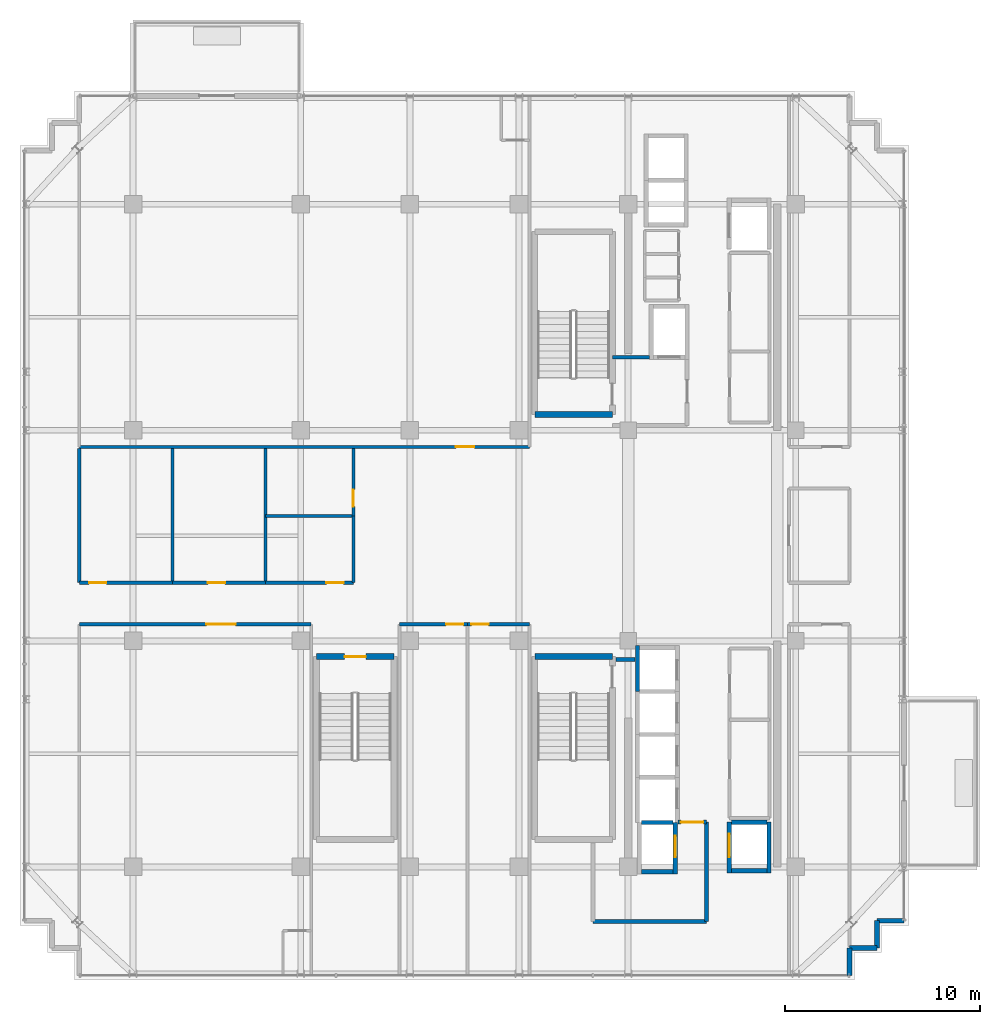
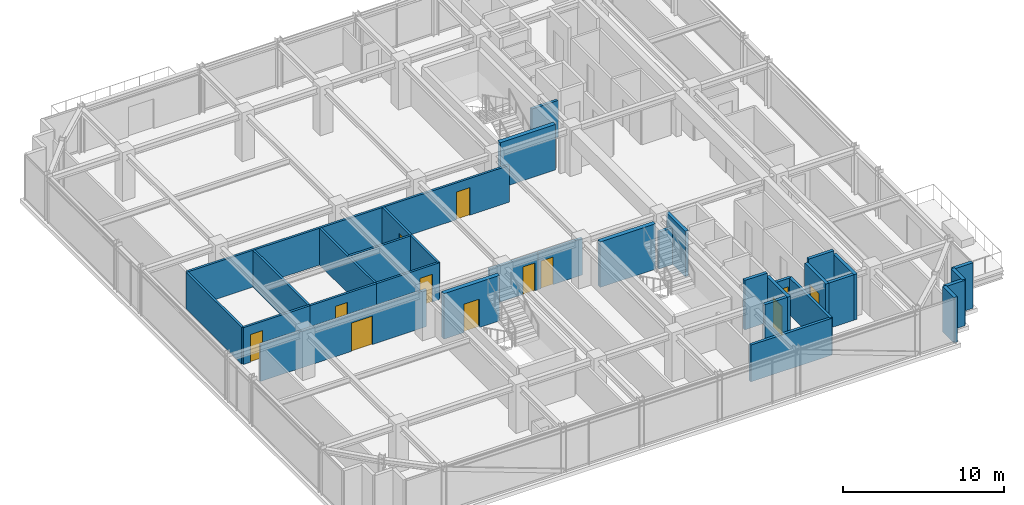
# One storey, part 24 of 31: 33 walls, 12 doors, 12 openings.
"""IFC4 building model written with IfcOpenShell, lengths in metres."""

import ifcopenshell
import ifcopenshell.guid

model = None  # the IFC model being written
_history = None  # IfcOwnerHistory: only IFC2X3 demands one
_inside = {}  # id of a spatial element -> (the spatial element, [elements in it])
_under = {}  # id of a project, library or spatial element -> (it, [spatial elements below it])
_declared = {}  # id of a project -> (the project, [libraries it declares])
_typed = {}  # id of a type object -> (the type object, [elements of that type])
_made_of = {}  # id of a material, layer set ... -> (it, [elements and type objects made of it])


def new_model(schema):
    """Start an empty IFC model of exactly this schema.

    Asked for "IFC4X3", IfcOpenShell would pick the latest addendum, in which some entities
    have other attributes; the version numbers below select the first issue.
    IFC2X3 requires an IfcOwnerHistory on every rooted entity: one is made here for all.
    """
    global model, _history
    if schema == "IFC4X3":
        model = ifcopenshell.file(schema_version=(4, 3, 0, 0))
    else:
        model = ifcopenshell.file(schema=schema)
    _inside.clear()
    _under.clear()
    _declared.clear()
    _typed.clear()
    _made_of.clear()
    _history = None
    if model.schema == "IFC2X3":
        org = make("IfcOrganization", Name="unknown")
        user = make(
            "IfcPersonAndOrganization",
            ThePerson=make("IfcPerson", FamilyName="unknown"),
            TheOrganization=org,
        )
        app = make(
            "IfcApplication",
            ApplicationDeveloper=org,
            Version="unknown",
            ApplicationFullName="unknown",
            ApplicationIdentifier="unknown",
        )
        _history = make(
            "IfcOwnerHistory",
            OwningUser=user,
            OwningApplication=app,
            ChangeAction="ADDED",
            CreationDate=0,
        )
    return model


def make(cls, **values):
    """One entity of the class cls with the attributes given. An attribute that is None is left unset."""
    return model.create_entity(
        cls, **{name: value for name, value in values.items() if value is not None}
    )


def rooted(cls, **values):
    """An entity with a GlobalId (a new one), such as an element, a storey or a relation."""
    return make(cls, GlobalId=ifcopenshell.guid.new(), OwnerHistory=_history, **values)


def si_unit(unit_type, name, prefix=None):
    """IfcSIUnit, for example si_unit("LENGTHUNIT", "METRE", prefix="MILLI")."""
    return make("IfcSIUnit", UnitType=unit_type, Prefix=prefix, Name=name)


def assignment(units):
    """IfcUnitAssignment: the units of a project."""
    return None if units is None else make("IfcUnitAssignment", Units=units)


def point(xyz):
    """IfcCartesianPoint."""
    return None if xyz is None else make("IfcCartesianPoint", Coordinates=xyz)


def direction(xyz):
    """IfcDirection."""
    return None if xyz is None else make("IfcDirection", DirectionRatios=xyz)


def frame(location, z_axis=None, x_axis=None):
    """IfcAxis2Placement3D, a coordinate frame: its origin and axes. An axis left out is left unset."""
    return make(
        "IfcAxis2Placement3D",
        Location=point(location),
        Axis=direction(z_axis),
        RefDirection=direction(x_axis),
    )


def frame_2d(location, x_axis=None):
    """IfcAxis2Placement2D, a coordinate frame in the plane: its origin and x axis."""
    return make(
        "IfcAxis2Placement2D", Location=point(location), RefDirection=direction(x_axis)
    )


def origin():
    """The frame at (0, 0, 0) with its axes left unset."""
    return frame((0.0, 0.0, 0.0))


def place(relative_to, where):
    """IfcLocalPlacement: puts the frame where relative to a parent placement (None: the world)."""
    return make(
        "IfcLocalPlacement", PlacementRelTo=relative_to, RelativePlacement=where
    )


def context(
    kind, dimensions, precision=None, world=None, true_north=None, identifier=None
):
    """IfcGeometricRepresentationContext, for example the 3D "Model" context."""
    return make(
        "IfcGeometricRepresentationContext",
        ContextIdentifier=identifier,
        ContextType=kind,
        CoordinateSpaceDimension=dimensions,
        Precision=precision,
        WorldCoordinateSystem=world,
        TrueNorth=true_north,
    )


def subcontext(parent, identifier, kind, view, scale=None):
    """IfcGeometricRepresentationSubContext, for example "Body" below "Model"."""
    return make(
        "IfcGeometricRepresentationSubContext",
        ContextIdentifier=identifier,
        ContextType=kind,
        ParentContext=parent,
        TargetScale=scale,
        TargetView=view,
    )


def project(units=None, contexts=None):
    """IfcProject with its units and contexts."""
    return rooted(
        "IfcProject",
        Name="project",
        RepresentationContexts=contexts,
        UnitsInContext=assignment(units),
    )


def spatial(cls, under=None, at=None, **own):
    """A site, building, storey or space (cls), placed at a placement, below another one or the project."""
    s = rooted(cls, ObjectPlacement=at, **own)
    if under is not None:
        _under.setdefault(under.id(), (under, []))[1].append(s)
    return s


def profile(cls, at=None, kind="AREA", **sizes):
    """A parametric profile (cls). Its sizes go by their IFC names, for example OverallWidth=200.0."""
    return make(cls, ProfileType=kind, Position=at, **sizes)


def rectangle(**sizes):
    """IfcRectangleProfileDef."""
    return profile("IfcRectangleProfileDef", **sizes)


def extrude(swept, where, along, depth):
    """IfcExtrudedAreaSolid: the profile swept, set in the frame where, extruded along a direction by depth."""
    return make(
        "IfcExtrudedAreaSolid",
        SweptArea=swept,
        Position=where,
        ExtrudedDirection=direction(along),
        Depth=depth,
    )


def shape(context_of_items, identifier, shape_type, items):
    """IfcShapeRepresentation: the items that make up one representation, for example the "Body"."""
    return make(
        "IfcShapeRepresentation",
        ContextOfItems=context_of_items,
        RepresentationIdentifier=identifier,
        RepresentationType=shape_type,
        Items=items,
    )


def source(mapping_origin, context_of_items, identifier, shape_type, items):
    """IfcRepresentationMap: a shape defined once, which mapped items show again and again."""
    return make(
        "IfcRepresentationMap",
        MappingOrigin=mapping_origin,
        MappedRepresentation=shape(context_of_items, identifier, shape_type, items),
    )


def transform(
    local_origin,
    x_axis=None,
    y_axis=None,
    z_axis=None,
    scale=None,
    scale2=None,
    scale3=None,
    uniform=True,
):
    """IfcCartesianTransformationOperator3D, or its non-uniform kind. x_axis, y_axis, z_axis: its Axis1, 2, 3."""
    if uniform:
        return make(
            "IfcCartesianTransformationOperator3D",
            Axis1=direction(x_axis),
            Axis2=direction(y_axis),
            LocalOrigin=point(local_origin),
            Scale=scale,
            Axis3=direction(z_axis),
        )
    return make(
        "IfcCartesianTransformationOperator3DnonUniform",
        Axis1=direction(x_axis),
        Axis2=direction(y_axis),
        LocalOrigin=point(local_origin),
        Scale=scale,
        Axis3=direction(z_axis),
        Scale2=scale2,
        Scale3=scale3,
    )


def mapped(mapping_source, mapping_target):
    """IfcMappedItem: shows the shape of a source again, moved by a transform."""
    return make(
        "IfcMappedItem", MappingSource=mapping_source, MappingTarget=mapping_target
    )


def material(Name=None, Category=None):
    """IfcMaterial."""
    return make("IfcMaterial", Name=Name, Category=Category)


def layer(
    of_material, thickness, ventilated=None, Name=None, Category=None, Priority=None
):
    """IfcMaterialLayer: one layer of a wall or slab, of a material (None: an air gap)."""
    return make(
        "IfcMaterialLayer",
        Material=of_material,
        LayerThickness=thickness,
        IsVentilated=ventilated,
        Name=Name,
        Category=Category,
        Priority=Priority,
    )


def layer_set(layers, Name=None):
    """IfcMaterialLayerSet."""
    return make("IfcMaterialLayerSet", MaterialLayers=layers, LayerSetName=Name)


def made_of(thing, what):
    """Note that an element or type object is made of a material, layer set ...; save() writes the relation."""
    if what is not None:
        _made_of.setdefault(what.id(), (what, []))[1].append(thing)
    return thing


def type_object(cls, material=None, **own):
    """A type object (cls), such as IfcWallType, which elements share."""
    return made_of(rooted(cls, **own), material)


def element(
    cls,
    number,
    at=None,
    inside=None,
    cuts=None,
    type_object=None,
    material=None,
    context=None,
    identifier="Body",
    shape_type=None,
    held_by="IfcProductDefinitionShape",
    body=None,
    shapes=None,
    **own,
):
    """One element of the class cls, such as IfcWall. Its Tag is "e" and its number.

    at: its placement. inside: the storey or other place that contains it. cuts: it is an
    opening in that element (IfcRelVoidsElement). A single representation is given by context,
    identifier, shape_type and body (its items); several are given by shapes. held_by: the class
    of the entity that holds the representations. save() writes the other relations.
    """
    e = rooted(cls, Tag="e%d" % number, ObjectPlacement=at, **own)
    if body is not None:
        shapes = [shape(context, identifier, shape_type, body)]
    if shapes is not None:
        e.Representation = make(held_by, Representations=shapes)
    if inside is not None:
        _inside.setdefault(inside.id(), (inside, []))[1].append(e)
    if cuts is not None:
        rooted(
            "IfcRelVoidsElement", RelatingBuildingElement=cuts, RelatedOpeningElement=e
        )
    if type_object is not None:
        _typed.setdefault(type_object.id(), (type_object, []))[1].append(e)
    return made_of(e, material)


def fill(opening, filler):
    """IfcRelFillsElement: the door or window that sits in an opening."""
    return rooted(
        "IfcRelFillsElement",
        RelatingOpeningElement=opening,
        RelatedBuildingElement=filler,
    )


def aggregate(whole, parts):
    """IfcRelAggregates: a whole, such as a stair, and the parts it consists of."""
    return rooted("IfcRelAggregates", RelatingObject=whole, RelatedObjects=parts)


def save(model, path):
    """Write the relations noted so far, then the file.

    IfcRelAggregates (storeys below a building ...), IfcRelContainedInSpatialStructure (elements
    in a storey), IfcRelDefinesByType, IfcRelAssociatesMaterial and IfcRelDeclares: one each for
    every whole, place, type object, material and project.
    """
    for whole, parts in _under.values():
        aggregate(whole, parts)
    for where, things in _inside.values():
        rooted(
            "IfcRelContainedInSpatialStructure",
            RelatedElements=things,
            RelatingStructure=where,
        )
    for kind, things in _typed.values():
        rooted("IfcRelDefinesByType", RelatedObjects=things, RelatingType=kind)
    for what, things in _made_of.values():
        rooted("IfcRelAssociatesMaterial", RelatedObjects=things, RelatingMaterial=what)
    for by, libraries in _declared.values():
        rooted("IfcRelDeclares", RelatingContext=by, RelatedDefinitions=libraries)
    model.write(path)


model = new_model("IFC4")

# Units and contexts
model_context = context("Model", 3, precision=1e-05, world=origin(), true_north=direction((0.0, 1.0)))
body_context = subcontext(model_context, "Body", "Model", "MODEL_VIEW")
ifc_project = project(units=[si_unit("LENGTHUNIT", "METRE"), si_unit("AREAUNIT", "SQUARE_METRE"), si_unit("VOLUMEUNIT", "CUBIC_METRE"), si_unit("PLANEANGLEUNIT", "RADIAN"), si_unit("MASSUNIT", "GRAM", prefix="KILO")], contexts=[model_context])

# Site, building, storey
site_placement = place(None, origin())
site = spatial("IfcSite", under=ifc_project, at=site_placement, CompositionType="ELEMENT")
building_placement = place(site_placement, origin())
building = spatial("IfcBuilding", under=site, at=building_placement, Name="Nahalor Promenade Grand Hotel", CompositionType="ELEMENT")
storey_placement = place(building_placement, frame((0.0, 0.0, 281.300048828125)))
storey = spatial("IfcBuildingStorey", under=building, at=storey_placement, Name="L72", CompositionType="ELEMENT", Elevation=281.300048828125)

# Walls
ifc_material_1 = material(Name="Concrete B-50 (C40/50)", Category="concrete")
ifc_layer_1 = layer(ifc_material_1, 0.300048828125)
ifc_layer_set_1 = layer_set([ifc_layer_1], Name="Concrete B-50 (C40/50)")
wall_type_1 = type_object("IfcWallType", Name="Wall-ShaftShear-300", PredefinedType="SHEAR", material=ifc_layer_set_1)
shared_shape_1 = source(origin(), body_context, "Body", "SweptSolid", [
    extrude(rectangle(XDim=3.97998046875, YDim=0.300048828125, at=frame_2d((1.989990234375, 0.0))), origin(), (0.0, 0.0, 1.0), 3.449951171875),
])
for number, where, z_axis, x_axis, name in (
    (1, (3.610107421875, 6.2099609375, 0.0), (0.0, 0.0, 1.0), (1.0, 0.0, 0.0), "L72 Exit Stair ST1 Shaft Wall S"),
    (2, (3.610107421875, -6.2099609375, 0.0), (0.0, 0.0, 1.0), (1.0, 0.0, 0.0), "L72 Exit Stair ST2 Shaft Wall N"),
):
    element("IfcWall", number, at=place(storey_placement, frame(where, z_axis=z_axis, x_axis=x_axis)), inside=storey, type_object=wall_type_1, Name=name, PredefinedType="SHEAR", context=body_context, shape_type="MappedRepresentation", body=[
        mapped(shared_shape_1, transform((0.0, 0.0, 0.0), scale=1.0)),
    ])

# Wall, opening, door
wall_1_placement = place(storey_placement, frame((-7.590087890625, -6.2099609375, 0.0), z_axis=(0.0, 0.0, 1.0), x_axis=(1.0, 0.0, 0.0)))
wall_1 = element("IfcWall", 3, at=wall_1_placement, inside=storey, type_object=wall_type_1, Name="L72 Exit Stair ST3 Shaft Wall N", PredefinedType="SHEAR", context=body_context, shape_type="MappedRepresentation", body=[
    mapped(shared_shape_1, transform((0.0, 0.0, 0.0), scale=1.0)),
])
opening_1_placement = place(wall_1_placement, frame((1.43994140625, 0.0, 0.0)))
opening_1 = element("IfcOpeningElement", 4, at=opening_1_placement, cuts=wall_1, Name="Opening D-ST1", PredefinedType="OPENING", context=body_context, shape_type="SweptSolid", body=[
    extrude(rectangle(XDim=1.10009765625, YDim=2.14990234375, at=frame_2d((0.550048828125, 1.074951171875))), frame((0.0, 0.159912109375, 0.0), z_axis=(0.0, -1.0, 0.0), x_axis=(1.0, 0.0, 0.0)), (0.0, 0.0, 1.0), 0.320068359375),
])
ifc_material_2 = material(Name="Steel S355JR", Category="steel")
door_type_1 = type_object("IfcDoorType", Name="Door-StairFire-1100", OperationType="NOTDEFINED", PredefinedType="DOOR", material=ifc_material_2)
shared_shape_2 = source(origin(), body_context, "Body", "SweptSolid", [
    extrude(rectangle(XDim=1.10009765625, YDim=2.14990234375, at=frame_2d((0.550048828125, 1.074951171875))), frame((0.0, 0.02490234375, 0.0), z_axis=(0.0, -1.0, 0.0), x_axis=(1.0, 0.0, 0.0)), (0.0, 0.0, 1.0), 0.050048828125),
])
door_1_placement = place(opening_1_placement, frame((1.10009765625, 0.0, 0.0), z_axis=(0.0, 0.0, 1.0), x_axis=(-1.0, 0.0, 0.0)))
door_1 = element("IfcDoor", 5, at=door_1_placement, inside=storey, type_object=door_type_1, Name="DR-STAIR-ST3-L72", OperationType="SINGLE_SWING_LEFT", OverallHeight=2.14990234375, OverallWidth=1.10009765625, PredefinedType="DOOR", context=body_context, shape_type="MappedRepresentation", body=[
    mapped(shared_shape_2, transform((0.0, 0.0, 0.0), scale=1.0)),
])
fill(opening_1, door_1)

# Walls
ifc_layer_2 = layer(ifc_material_1, 0.219970703125)
ifc_layer_set_2 = layer_set([ifc_layer_2], Name="Concrete B-50 (C40/50)")
wall_type_2 = type_object("IfcWallType", Name="Wall-LiftShaft-220", PredefinedType="SHEAR", material=ifc_layer_set_2)
shared_shape_3 = source(origin(), body_context, "Body", "SweptSolid", [
    extrude(rectangle(XDim=2.360107421875, YDim=0.219970703125, at=frame_2d((1.18017578125, 0.0))), origin(), (0.0, 0.0, 1.0), 3.449951171875),
])
wall_2_placement = place(storey_placement, frame((8.8798828125, -8.0, 0.0), z_axis=(0.0, 0.0, 1.0), x_axis=(0.0, 1.0, 0.0)))
element("IfcWall", 6, at=wall_2_placement, inside=storey, type_object=wall_type_2, Name="L72 Lift PL9 Hoistway Wall W", PredefinedType="SHEAR", context=body_context, shape_type="MappedRepresentation", body=[
    mapped(shared_shape_3, transform((0.0, 0.0, 0.0), scale=1.0)),
])
shared_shape_4 = source(origin(), body_context, "Body", "SweptSolid", [
    extrude(rectangle(XDim=1.820068359375, YDim=0.219970703125, at=frame_2d((0.91015625, 0.0))), origin(), (0.0, 0.0, 1.0), 3.449951171875),
])
wall_3_placement = place(storey_placement, frame((13.68994140625, -17.199951171875, 0.0), z_axis=(0.0, 0.0, 1.0), x_axis=(1.0, 0.0, 0.0)))
element("IfcWall", 7, at=wall_3_placement, inside=storey, type_object=wall_type_2, Name="L72 Lift SV2 Hoistway Wall S", PredefinedType="SHEAR", context=body_context, shape_type="MappedRepresentation", body=[
    mapped(shared_shape_4, transform((0.0, 0.0, 0.0), scale=1.0)),
])
shared_shape_5 = source(origin(), body_context, "Body", "SweptSolid", [
    extrude(rectangle(XDim=1.820068359375, YDim=0.219970703125, at=frame_2d((0.91015625, 0.0))), origin(), (0.0, 0.0, 1.0), 3.75),
])
wall_4_placement = place(storey_placement, frame((13.68994140625, -14.699951171875, 0.0), z_axis=(0.0, 0.0, 1.0), x_axis=(1.0, 0.0, 0.0)))
element("IfcWall", 8, at=wall_4_placement, inside=storey, type_object=wall_type_2, Name="L72 Lift SV2 Hoistway Wall N", PredefinedType="SHEAR", context=body_context, shape_type="MappedRepresentation", body=[
    mapped(shared_shape_5, transform((0.0, 0.0, 0.0), scale=1.0)),
])

# Wall, opening, door
shared_shape_6 = source(origin(), body_context, "Body", "SweptSolid", [
    extrude(rectangle(XDim=2.635009765625, YDim=0.219970703125, at=frame_2d((1.3173828125, 0.0))), origin(), (0.0, 0.0, 1.0), 3.449951171875),
])
wall_5_placement = place(storey_placement, frame((10.820068359375, -17.360107421875, 0.0), z_axis=(0.0, 0.0, 1.0), x_axis=(0.0, 1.0, 0.0)))
wall_5 = element("IfcWall", 9, at=wall_5_placement, inside=storey, type_object=wall_type_2, Name="L72 Lift FL2 Hoistway Wall E", PredefinedType="SHEAR", context=body_context, shape_type="MappedRepresentation", body=[
    mapped(shared_shape_6, transform((0.0, 0.0, 0.0), scale=1.0)),
])
opening_2_placement = place(wall_5_placement, frame((0.860107421875, 0.0, 0.0)))
opening_2 = element("IfcOpeningElement", 10, at=opening_2_placement, cuts=wall_5, Name="Opening LD-02", PredefinedType="OPENING", context=body_context, shape_type="SweptSolid", body=[
    extrude(rectangle(XDim=1.10009765625, YDim=2.199951171875, at=frame_2d((0.550048828125, 1.10009765625))), frame((0.0, 0.119873046875, 0.0), z_axis=(0.0, -1.0, 0.0), x_axis=(1.0, 0.0, 0.0)), (0.0, 0.0, 1.0), 0.239990234375),
])
door_type_2 = type_object("IfcDoorType", Name="Door-LiftFF-1100", OperationType="DOUBLE_DOOR_SLIDING", PredefinedType="DOOR", material=ifc_material_2)
shared_shape_7 = source(origin(), body_context, "Body", "SweptSolid", [
    extrude(rectangle(XDim=1.10009765625, YDim=2.199951171875, at=frame_2d((0.550048828125, 1.10009765625))), frame((0.0, 0.02490234375, 0.0), z_axis=(0.0, -1.0, 0.0), x_axis=(1.0, 0.0, 0.0)), (0.0, 0.0, 1.0), 0.050048828125),
])
door_2_placement = place(opening_2_placement, frame((1.10009765625, 0.0, 0.0), z_axis=(0.0, 0.0, 1.0), x_axis=(-1.0, 0.0, 0.0)))
door_2 = element("IfcDoor", 11, at=door_2_placement, inside=storey, type_object=door_type_2, Name="DR-LIFT-FL2-L72", OperationType="DOUBLE_DOOR_SLIDING", OverallHeight=2.199951171875, OverallWidth=1.10009765625, PredefinedType="DOOR", context=body_context, shape_type="MappedRepresentation", body=[
    mapped(shared_shape_7, transform((0.0, 0.0, 0.0), scale=1.0)),
])
fill(opening_2, door_2)

# Walls
shared_shape_8 = source(origin(), body_context, "Body", "SweptSolid", [
    extrude(rectangle(XDim=1.619873046875, YDim=0.219970703125, at=frame_2d((0.81005859375, 0.0))), origin(), (0.0, 0.0, 1.0), 3.449951171875),
])
wall_6_placement = place(storey_placement, frame((9.090087890625, -17.25, 0.0), z_axis=(0.0, 0.0, 1.0), x_axis=(1.0, 0.0, 0.0)))
element("IfcWall", 12, at=wall_6_placement, inside=storey, type_object=wall_type_2, Name="L72 Lift FL2 Hoistway Wall S", PredefinedType="SHEAR", context=body_context, shape_type="MappedRepresentation", body=[
    mapped(shared_shape_8, transform((0.0, 0.0, 0.0), scale=1.0)),
])
shared_shape_9 = source(origin(), body_context, "Body", "SweptSolid", [
    extrude(rectangle(XDim=1.619873046875, YDim=0.219970703125, at=frame_2d((0.81005859375, 0.0))), origin(), (0.0, 0.0, 1.0), 3.75),
])
wall_7_placement = place(storey_placement, frame((9.090087890625, -14.72509765625, 0.0), z_axis=(0.0, 0.0, 1.0), x_axis=(1.0, 0.0, 0.0)))
element("IfcWall", 13, at=wall_7_placement, inside=storey, type_object=wall_type_2, Name="L72 Lift FL2 Hoistway Wall N", PredefinedType="SHEAR", context=body_context, shape_type="MappedRepresentation", body=[
    mapped(shared_shape_9, transform((0.0, 0.0, 0.0), scale=1.0)),
])

# Wall, opening, door
shared_shape_10 = source(origin(), body_context, "Body", "SweptSolid", [
    extrude(rectangle(XDim=2.610107421875, YDim=0.219970703125, at=frame_2d((1.30517578125, 0.0))), origin(), (0.0, 0.0, 1.0), 3.449951171875),
])
wall_8_placement = place(storey_placement, frame((13.580078125, -17.31005859375, 0.0), z_axis=(0.0, 0.0, 1.0), x_axis=(0.0, 1.0, 0.0)))
wall_8 = element("IfcWall", 14, at=wall_8_placement, inside=storey, type_object=wall_type_2, Name="L72 Lift SV2 Hoistway Wall W", PredefinedType="SHEAR", context=body_context, shape_type="MappedRepresentation", body=[
    mapped(shared_shape_10, transform((0.0, 0.0, 0.0), scale=1.0)),
])
opening_3_placement = place(wall_8_placement, frame((0.81005859375, 0.0, 0.0)))
opening_3 = element("IfcOpeningElement", 15, at=opening_3_placement, cuts=wall_8, Name="Opening LD-03", PredefinedType="OPENING", context=body_context, shape_type="SweptSolid", body=[
    extrude(rectangle(XDim=1.199951171875, YDim=2.199951171875, at=frame_2d((0.60009765625, 1.10009765625))), frame((0.0, 0.119873046875, 0.0), z_axis=(0.0, -1.0, 0.0), x_axis=(1.0, 0.0, 0.0)), (0.0, 0.0, 1.0), 0.239990234375),
])
door_type_3 = type_object("IfcDoorType", Name="Door-LiftService-1200", OperationType="DOUBLE_DOOR_SLIDING", PredefinedType="DOOR", material=ifc_material_2)
shared_shape_11 = source(origin(), body_context, "Body", "SweptSolid", [
    extrude(rectangle(XDim=1.199951171875, YDim=2.199951171875, at=frame_2d((0.60009765625, 1.10009765625))), frame((0.0, 0.02490234375, 0.0), z_axis=(0.0, -1.0, 0.0), x_axis=(1.0, 0.0, 0.0)), (0.0, 0.0, 1.0), 0.050048828125),
])
door_3_placement = place(opening_3_placement, origin())
door_3 = element("IfcDoor", 16, at=door_3_placement, inside=storey, type_object=door_type_3, Name="DR-LIFT-SV2-L72", OperationType="DOUBLE_DOOR_SLIDING", OverallHeight=2.199951171875, OverallWidth=1.199951171875, PredefinedType="DOOR", context=body_context, shape_type="MappedRepresentation", body=[
    mapped(shared_shape_11, transform((0.0, 0.0, 0.0), scale=1.0)),
])
fill(opening_3, door_3)

# Walls
wall_9_placement = place(storey_placement, frame((15.6201171875, -17.31005859375, 0.0), z_axis=(0.0, 0.0, 1.0), x_axis=(0.0, 1.0, 0.0)))
element("IfcWall", 17, at=wall_9_placement, inside=storey, type_object=wall_type_2, Name="L72 Lift SV2 Hoistway Wall E", PredefinedType="SHEAR", context=body_context, shape_type="MappedRepresentation", body=[
    mapped(shared_shape_10, transform((0.0, 0.0, 0.0), scale=1.0)),
])
ifc_material_3 = material(Name="Concrete B-40 (C32/40)", Category="concrete")
ifc_layer_3 = layer(ifc_material_3, 0.25)
ifc_layer_set_3 = layer_set([ifc_layer_3], Name="Concrete B-40 (C32/40)")
wall_type_3 = type_object("IfcWallType", Name="Wall-BronzePier-250", PredefinedType="STANDARD", material=ifc_layer_set_3)
shared_shape_12 = source(origin(), body_context, "Body", "SweptSolid", [
    extrude(rectangle(XDim=1.400146484375, YDim=0.25, at=frame_2d((0.7001953125, 0.0))), origin(), (0.0, 0.0, 1.0), 3.449951171875),
])
for number, where, z_axis, x_axis, name in (
    (18, (19.760009765625, -22.56005859375, 0.0), (0.0, 0.0, 1.0), (0.0, 1.0, 0.0), "W-L72-SR-01"),
    (19, (21.159912109375, -19.760009765625, 0.0), (0.0, 0.0, 1.0), (1.0, 0.0, 0.0), "W-L72-SR-04"),
):
    element("IfcWall", number, at=place(storey_placement, frame(where, z_axis=z_axis, x_axis=x_axis)), inside=storey, type_object=wall_type_3, Name=name, PredefinedType="STANDARD", context=body_context, shape_type="MappedRepresentation", body=[
        mapped(shared_shape_12, transform((0.0, 0.0, 0.0), scale=1.0)),
    ])
shared_shape_13 = source(origin(), body_context, "Body", "SweptSolid", [
    extrude(rectangle(XDim=1.39990234375, YDim=0.25, at=frame_2d((0.699951171875, 0.0))), origin(), (0.0, 0.0, 1.0), 3.449951171875),
])
for number, where, z_axis, x_axis, name in (
    (20, (19.760009765625, -21.159912109375, 0.0), (0.0, 0.0, 1.0), (1.0, 0.0, 0.0), "W-L72-SR-02"),
    (21, (21.159912109375, -21.159912109375, 0.0), (0.0, 0.0, 1.0), (0.0, 1.0, 0.0), "W-L72-SR-03"),
):
    element("IfcWall", number, at=place(storey_placement, frame(where, z_axis=z_axis, x_axis=x_axis)), inside=storey, type_object=wall_type_3, Name=name, PredefinedType="STANDARD", context=body_context, shape_type="MappedRepresentation", body=[
        mapped(shared_shape_13, transform((0.0, 0.0, 0.0), scale=1.0)),
    ])
ifc_layer_4 = layer(ifc_material_3, 0.199951171875)
ifc_layer_set_4 = layer_set([ifc_layer_4], Name="Concrete B-40 (C32/40)")
wall_type_4 = type_object("IfcWallType", Name="Wall-PartFire-200", PredefinedType="PARTITIONING", material=ifc_layer_set_4)
shared_shape_14 = source(origin(), body_context, "Body", "SweptSolid", [
    extrude(rectangle(XDim=1.89990234375, YDim=0.199951171875, at=frame_2d((0.949951171875, 0.0))), origin(), (0.0, 0.0, 1.0), 2.7900390625),
])
wall_10_placement = place(storey_placement, frame((7.60009765625, 9.14990234375, 0.0), z_axis=(0.0, 0.0, 1.0), x_axis=(1.0, 0.0, 0.0)))
element("IfcWall", 22, at=wall_10_placement, inside=storey, type_object=wall_type_4, Name="W-L72-FF1-N", PredefinedType="PARTITIONING", context=body_context, shape_type="MappedRepresentation", body=[
    mapped(shared_shape_14, transform((0.0, 0.0, 0.0), scale=1.0)),
])
shared_shape_15 = source(origin(), body_context, "Body", "SweptSolid", [
    extrude(rectangle(XDim=5.81982421875, YDim=0.199951171875, at=frame_2d((2.909912109375, 0.0))), origin(), (0.0, 0.0, 1.0), 2.7900390625),
])
wall_11_placement = place(storey_placement, frame((6.60009765625, -19.800048828125, 0.0), z_axis=(0.0, 0.0, 1.0), x_axis=(1.0, 0.0, 0.0)))
element("IfcWall", 23, at=wall_11_placement, inside=storey, type_object=wall_type_4, Name="W-L72-FF2-S1", PredefinedType="PARTITIONING", context=body_context, shape_type="MappedRepresentation", body=[
    mapped(shared_shape_15, transform((0.0, 0.0, 0.0), scale=1.0)),
])
shared_shape_16 = source(origin(), body_context, "Body", "SweptSolid", [
    extrude(rectangle(XDim=5.10009765625, YDim=0.199951171875, at=frame_2d((2.550048828125, 0.0))), origin(), (0.0, 0.0, 1.0), 2.7900390625),
])
wall_12_placement = place(storey_placement, frame((12.419921875, -19.800048828125, 0.0), z_axis=(0.0, 0.0, 1.0), x_axis=(0.0, 1.0, 0.0)))
element("IfcWall", 24, at=wall_12_placement, inside=storey, type_object=wall_type_4, Name="W-L72-FF2-E", PredefinedType="PARTITIONING", context=body_context, shape_type="MappedRepresentation", body=[
    mapped(shared_shape_16, transform((0.0, 0.0, 0.0), scale=1.0)),
])

# Wall, opening, door
shared_shape_17 = source(origin(), body_context, "Body", "SweptSolid", [
    extrude(rectangle(XDim=1.4599609375, YDim=0.199951171875, at=frame_2d((0.72998046875, 0.0))), origin(), (0.0, 0.0, 1.0), 2.7900390625),
])
wall_13_placement = place(storey_placement, frame((10.9599609375, -14.699951171875, 0.0), z_axis=(0.0, 0.0, 1.0), x_axis=(1.0, 0.0, 0.0)))
wall_13 = element("IfcWall", 25, at=wall_13_placement, inside=storey, type_object=wall_type_4, Name="W-L72-FF2-N1", PredefinedType="PARTITIONING", context=body_context, shape_type="MappedRepresentation", body=[
    mapped(shared_shape_17, transform((0.0, 0.0, 0.0), scale=1.0)),
])
opening_4_placement = place(wall_13_placement, frame((0.14501953125, 0.0, 0.0)))
opening_4 = element("IfcOpeningElement", 26, at=opening_4_placement, cuts=wall_13, Name="Opening D-FF1", PredefinedType="OPENING", context=body_context, shape_type="SweptSolid", body=[
    extrude(rectangle(XDim=1.14990234375, YDim=2.14990234375, at=frame_2d((0.574951171875, 1.074951171875))), frame((0.0, 0.10986328125, 0.0), z_axis=(0.0, -1.0, 0.0), x_axis=(1.0, 0.0, 0.0)), (0.0, 0.0, 1.0), 0.219970703125),
])
door_type_4 = type_object("IfcDoorType", Name="Door-FFLobby-1150", OperationType="NOTDEFINED", PredefinedType="DOOR", material=ifc_material_2)
shared_shape_18 = source(origin(), body_context, "Body", "SweptSolid", [
    extrude(rectangle(XDim=1.14990234375, YDim=2.14990234375, at=frame_2d((0.574951171875, 1.074951171875))), frame((0.0, 0.02490234375, 0.0), z_axis=(0.0, -1.0, 0.0), x_axis=(1.0, 0.0, 0.0)), (0.0, 0.0, 1.0), 0.050048828125),
])
door_4_placement = place(opening_4_placement, origin())
door_4 = element("IfcDoor", 27, at=door_4_placement, inside=storey, type_object=door_type_4, Name="DR-L72-FFL2", OperationType="SINGLE_SWING_LEFT", OverallHeight=2.14990234375, OverallWidth=1.14990234375, PredefinedType="DOOR", context=body_context, shape_type="MappedRepresentation", body=[
    mapped(shared_shape_18, transform((0.0, 0.0, 0.0), scale=1.0)),
])
fill(opening_4, door_4)

# Wall
shared_shape_19 = source(origin(), body_context, "Body", "SweptSolid", [
    extrude(rectangle(XDim=0.969970703125, YDim=0.199951171875, at=frame_2d((0.48486328125, 0.0))), origin(), (0.0, 0.0, 1.0), 2.7900390625),
])
wall_14_placement = place(storey_placement, frame((7.77001953125, -6.35009765625, 0.0), z_axis=(0.0, 0.0, 1.0), x_axis=(1.0, 0.0, 0.0)))
element("IfcWall", 28, at=wall_14_placement, inside=storey, type_object=wall_type_4, Name="W-L72-FF2-N2", PredefinedType="PARTITIONING", context=body_context, shape_type="MappedRepresentation", body=[
    mapped(shared_shape_19, transform((0.0, 0.0, 0.0), scale=1.0)),
])

# Wall, opening, door
ifc_material_4 = material(Name="Acoustic Mineral Gypsum", Category="gypsum")
ifc_layer_5 = layer(ifc_material_4, 0.159912109375)
ifc_layer_set_5 = layer_set([ifc_layer_5], Name="Acoustic Mineral Gypsum")
wall_type_5 = type_object("IfcWallType", Name="Wall-PartCorridor-160", PredefinedType="PARTITIONING", material=ifc_layer_set_5)
shared_shape_20 = source(origin(), body_context, "Body", "SweptSolid", [
    extrude(rectangle(XDim=23.10009765625, YDim=0.159912109375, at=frame_2d((11.550048828125, 0.0))), origin(), (0.0, 0.0, 1.0), 2.7900390625),
])
wall_15_placement = place(storey_placement, frame((-19.760009765625, 4.550048828125, 0.0), z_axis=(0.0, 0.0, 1.0), x_axis=(1.0, 0.0, 0.0)))
wall_15 = element("IfcWall", 29, at=wall_15_placement, inside=storey, type_object=wall_type_5, Name="W-L72-CORR-N", PredefinedType="PARTITIONING", context=body_context, shape_type="MappedRepresentation", body=[
    mapped(shared_shape_20, transform((0.0, 0.0, 0.0), scale=1.0)),
])
opening_5_placement = place(wall_15_placement, frame((19.31494140625, 0.0, 0.0)))
opening_5 = element("IfcOpeningElement", 30, at=opening_5_placement, cuts=wall_15, Name="Opening D-01", PredefinedType="OPENING", context=body_context, shape_type="SweptSolid", body=[
    extrude(rectangle(XDim=0.949951171875, YDim=2.10009765625, at=frame_2d((0.47509765625, 1.050048828125))), frame((0.0, 0.08984375, 0.0), z_axis=(0.0, -1.0, 0.0), x_axis=(1.0, 0.0, 0.0)), (0.0, 0.0, 1.0), 0.179931640625),
])
ifc_material_5 = material(Name="Fire-Rated Timber Composite", Category="wood")
door_type_5 = type_object("IfcDoorType", Name="Door-GuestEntry-950", OperationType="NOTDEFINED", PredefinedType="DOOR", material=ifc_material_5)
shared_shape_21 = source(origin(), body_context, "Body", "SweptSolid", [
    extrude(rectangle(XDim=0.949951171875, YDim=2.10009765625, at=frame_2d((0.47509765625, 1.050048828125))), frame((0.0, 0.02490234375, 0.0), z_axis=(0.0, -1.0, 0.0), x_axis=(1.0, 0.0, 0.0)), (0.0, 0.0, 1.0), 0.050048828125),
])
door_5_placement = place(opening_5_placement, origin())
door_5 = element("IfcDoor", 31, at=door_5_placement, inside=storey, type_object=door_type_5, Name="DR-L72-N1-ENT", OperationType="SINGLE_SWING_RIGHT", OverallHeight=2.10009765625, OverallWidth=0.949951171875, PredefinedType="DOOR", context=body_context, shape_type="MappedRepresentation", body=[
    mapped(shared_shape_21, transform((0.0, 0.0, 0.0), scale=1.0)),
])
fill(opening_5, door_5)

shared_shape_22 = source(origin(), body_context, "Body", "SweptSolid", [
    extrude(rectangle(XDim=11.89990234375, YDim=0.159912109375, at=frame_2d((5.949951171875, 0.0))), origin(), (0.0, 0.0, 1.0), 2.7900390625),
])
wall_16_placement = place(storey_placement, frame((-19.760009765625, -4.550048828125, 0.0), z_axis=(0.0, 0.0, 1.0), x_axis=(1.0, 0.0, 0.0)))
wall_16 = element("IfcWall", 32, at=wall_16_placement, inside=storey, type_object=wall_type_5, Name="W-L72-CORR-S", PredefinedType="PARTITIONING", context=body_context, shape_type="MappedRepresentation", body=[
    mapped(shared_shape_22, transform((0.0, 0.0, 0.0), scale=1.0)),
])
opening_6_placement = place(wall_16_placement, frame((6.52294921875, 0.0, 0.0)))
opening_6 = element("IfcOpeningElement", 33, at=opening_6_placement, cuts=wall_16, Name="Opening D-02", PredefinedType="OPENING", context=body_context, shape_type="SweptSolid", body=[
    extrude(rectangle(XDim=1.5, YDim=2.14990234375, at=frame_2d((0.75, 1.074951171875))), frame((0.0, 0.08984375, 0.0), z_axis=(0.0, -1.0, 0.0), x_axis=(1.0, 0.0, 0.0)), (0.0, 0.0, 1.0), 0.179931640625),
])
door_type_6 = type_object("IfcDoorType", Name="Door-SuiteDouble-1500", OperationType="DOUBLE_DOOR_SINGLE_SWING", PredefinedType="DOOR", material=ifc_material_5)
shared_shape_23 = source(origin(), body_context, "Body", "SweptSolid", [
    extrude(rectangle(XDim=1.5, YDim=2.14990234375, at=frame_2d((0.75, 1.074951171875))), frame((0.0, 0.02490234375, 0.0), z_axis=(0.0, -1.0, 0.0), x_axis=(1.0, 0.0, 0.0)), (0.0, 0.0, 1.0), 0.050048828125),
])
door_6_placement = place(opening_6_placement, frame((1.5, 0.0, 0.0), z_axis=(0.0, 0.0, 1.0), x_axis=(-1.0, 0.0, 0.0)))
door_6 = element("IfcDoor", 34, at=door_6_placement, inside=storey, type_object=door_type_6, Name="DR-L72-S1-ENT", OperationType="DOUBLE_DOOR_SINGLE_SWING", OverallHeight=2.14990234375, OverallWidth=1.5, PredefinedType="DOOR", context=body_context, shape_type="MappedRepresentation", body=[
    mapped(shared_shape_23, transform((0.0, 0.0, 0.0), scale=1.0)),
])
fill(opening_6, door_6)

# Walls
shared_shape_24 = source(origin(), body_context, "Body", "SweptSolid", [
    extrude(rectangle(XDim=6.889892578125, YDim=0.159912109375, at=frame_2d((3.44482421875, 0.0))), origin(), (0.0, 0.0, 1.0), 2.7900390625),
])
for number, where, z_axis, x_axis, name in (
    (35, (-19.760009765625, -2.419921875, 0.0), (0.0, 0.0, 1.0), (0.0, 1.0, 0.0), "W-L72-ZW1-W"),
    (36, (-14.97998046875, -2.419921875, 0.0), (0.0, 0.0, 1.0), (0.0, 1.0, 0.0), "W-L72-ZW1-E"),
    (37, (-10.198974609375, -2.419921875, 0.0), (0.0, 0.0, 1.0), (0.0, 1.0, 0.0), "W-L72-ZW2-E"),
):
    element("IfcWall", number, at=place(storey_placement, frame(where, z_axis=z_axis, x_axis=x_axis)), inside=storey, type_object=wall_type_5, Name=name, PredefinedType="PARTITIONING", context=body_context, shape_type="MappedRepresentation", body=[
        mapped(shared_shape_24, transform((0.0, 0.0, 0.0), scale=1.0)),
    ])
shared_shape_25 = source(origin(), body_context, "Body", "SweptSolid", [
    extrude(rectangle(XDim=3.419921875, YDim=0.159912109375, at=frame_2d((1.7099609375, 0.0))), origin(), (0.0, 0.0, 1.0), 2.7900390625),
])
wall_17_placement = place(storey_placement, frame((-5.699951171875, -2.419921875, 0.0), z_axis=(0.0, 0.0, 1.0), x_axis=(0.0, 1.0, 0.0)))
element("IfcWall", 38, at=wall_17_placement, inside=storey, type_object=wall_type_5, Name="W-L72-ZW3-E", PredefinedType="PARTITIONING", context=body_context, shape_type="MappedRepresentation", body=[
    mapped(shared_shape_25, transform((0.0, 0.0, 0.0), scale=1.0)),
])

# Wall, opening, door
shared_shape_26 = source(origin(), body_context, "Body", "SweptSolid", [
    extrude(rectangle(XDim=3.469970703125, YDim=0.159912109375, at=frame_2d((1.73486328125, 0.0))), origin(), (0.0, 0.0, 1.0), 2.7900390625),
])
wall_18_placement = place(storey_placement, frame((-5.699951171875, 1.0, 0.0), z_axis=(0.0, 0.0, 1.0), x_axis=(0.0, 1.0, 0.0)))
wall_18 = element("IfcWall", 39, at=wall_18_placement, inside=storey, type_object=wall_type_5, Name="W-L72-ZW4-E", PredefinedType="PARTITIONING", context=body_context, shape_type="MappedRepresentation", body=[
    mapped(shared_shape_26, transform((0.0, 0.0, 0.0), scale=1.0)),
])
opening_7_placement = place(wall_18_placement, frame((0.48095703125, 0.0, 0.0)))
opening_7 = element("IfcOpeningElement", 40, at=opening_7_placement, cuts=wall_18, Name="Opening D-03", PredefinedType="OPENING", context=body_context, shape_type="SweptSolid", body=[
    extrude(rectangle(XDim=0.8798828125, YDim=2.10009765625, at=frame_2d((0.43994140625, 1.050048828125))), frame((0.0, 0.08984375, 0.0), z_axis=(0.0, -1.0, 0.0), x_axis=(1.0, 0.0, 0.0)), (0.0, 0.0, 1.0), 0.179931640625),
])
door_type_7 = type_object("IfcDoorType", Name="Door-BathSwing-880", OperationType="NOTDEFINED", PredefinedType="DOOR", material=ifc_material_5)
shared_shape_27 = source(origin(), body_context, "Body", "SweptSolid", [
    extrude(rectangle(XDim=0.8798828125, YDim=2.10009765625, at=frame_2d((0.43994140625, 1.050048828125))), frame((0.0, 0.02490234375, 0.0), z_axis=(0.0, -1.0, 0.0), x_axis=(1.0, 0.0, 0.0)), (0.0, 0.0, 1.0), 0.050048828125),
])
door_7_placement = place(opening_7_placement, origin())
door_7 = element("IfcDoor", 41, at=door_7_placement, inside=storey, type_object=door_type_7, Name="DR-L72-ZW4", OperationType="SINGLE_SWING_LEFT", OverallHeight=2.10009765625, OverallWidth=0.8798828125, PredefinedType="DOOR", context=body_context, shape_type="MappedRepresentation", body=[
    mapped(shared_shape_27, transform((0.0, 0.0, 0.0), scale=1.0)),
])
fill(opening_7, door_7)

shared_shape_28 = source(origin(), body_context, "Body", "SweptSolid", [
    extrude(rectangle(XDim=3.489990234375, YDim=0.159912109375, at=frame_2d((1.7451171875, 0.0))), origin(), (0.0, 0.0, 1.0), 2.7900390625),
])
wall_19_placement = place(storey_placement, frame((-3.340087890625, -4.550048828125, 0.0), z_axis=(0.0, 0.0, 1.0), x_axis=(1.0, 0.0, 0.0)))
wall_19 = element("IfcWall", 42, at=wall_19_placement, inside=storey, type_object=wall_type_5, Name="W-L72-SCB1-N", PredefinedType="PARTITIONING", context=body_context, shape_type="MappedRepresentation", body=[
    mapped(shared_shape_28, transform((0.0, 0.0, 0.0), scale=1.0)),
])
opening_8_placement = place(wall_19_placement, frame((2.39990234375, 0.0, 0.0)))
opening_8 = element("IfcOpeningElement", 43, at=opening_8_placement, cuts=wall_19, Name="Opening D-03", PredefinedType="OPENING", context=body_context, shape_type="SweptSolid", body=[
    extrude(rectangle(XDim=0.8798828125, YDim=2.10009765625, at=frame_2d((0.43994140625, 1.050048828125))), frame((0.0, 0.08984375, 0.0), z_axis=(0.0, -1.0, 0.0), x_axis=(1.0, 0.0, 0.0)), (0.0, 0.0, 1.0), 0.179931640625),
])
door_8_placement = place(opening_8_placement, frame((0.8798828125, 0.0, 0.0), z_axis=(0.0, 0.0, 1.0), x_axis=(-1.0, 0.0, 0.0)))
door_8 = element("IfcDoor", 44, at=door_8_placement, inside=storey, type_object=door_type_7, Name="DR-L72-SCB1", OperationType="SINGLE_SWING_RIGHT", OverallHeight=2.10009765625, OverallWidth=0.8798828125, PredefinedType="DOOR", context=body_context, shape_type="MappedRepresentation", body=[
    mapped(shared_shape_27, transform((0.0, 0.0, 0.0), scale=1.0)),
])
fill(opening_8, door_8)

shared_shape_29 = source(origin(), body_context, "Body", "SweptSolid", [
    extrude(rectangle(XDim=3.190185546875, YDim=0.159912109375, at=frame_2d((1.59521484375, 0.0))), origin(), (0.0, 0.0, 1.0), 2.7900390625),
])
wall_20_placement = place(storey_placement, frame((0.14990234375, -4.550048828125, 0.0), z_axis=(0.0, 0.0, 1.0), x_axis=(1.0, 0.0, 0.0)))
wall_20 = element("IfcWall", 45, at=wall_20_placement, inside=storey, type_object=wall_type_5, Name="W-L72-SCB2-N", PredefinedType="PARTITIONING", context=body_context, shape_type="MappedRepresentation", body=[
    mapped(shared_shape_29, transform((0.0, 0.0, 0.0), scale=1.0)),
])
opening_9_placement = place(wall_20_placement, frame((0.2099609375, 0.0, 0.0)))
opening_9 = element("IfcOpeningElement", 46, at=opening_9_placement, cuts=wall_20, Name="Opening D-03", PredefinedType="OPENING", context=body_context, shape_type="SweptSolid", body=[
    extrude(rectangle(XDim=0.8798828125, YDim=2.10009765625, at=frame_2d((0.43994140625, 1.050048828125))), frame((0.0, 0.08984375, 0.0), z_axis=(0.0, -1.0, 0.0), x_axis=(1.0, 0.0, 0.0)), (0.0, 0.0, 1.0), 0.179931640625),
])
door_9_placement = place(opening_9_placement, frame((0.8798828125, 0.0, 0.0), z_axis=(0.0, 0.0, 1.0), x_axis=(-1.0, 0.0, 0.0)))
door_9 = element("IfcDoor", 47, at=door_9_placement, inside=storey, type_object=door_type_7, Name="DR-L72-SCB2", OperationType="SINGLE_SWING_LEFT", OverallHeight=2.10009765625, OverallWidth=0.8798828125, PredefinedType="DOOR", context=body_context, shape_type="MappedRepresentation", body=[
    mapped(shared_shape_27, transform((0.0, 0.0, 0.0), scale=1.0)),
])
fill(opening_9, door_9)

shared_shape_30 = source(origin(), body_context, "Body", "SweptSolid", [
    extrude(rectangle(XDim=4.780029296875, YDim=0.159912109375, at=frame_2d((2.39013671875, 0.0))), origin(), (0.0, 0.0, 1.0), 2.7900390625),
])
wall_21_placement = place(storey_placement, frame((-19.760009765625, -2.419921875, 0.0), z_axis=(0.0, 0.0, 1.0), x_axis=(1.0, 0.0, 0.0)))
wall_21 = element("IfcWall", 48, at=wall_21_placement, inside=storey, type_object=wall_type_5, Name="W-L72-ZW1-S", PredefinedType="PARTITIONING", context=body_context, shape_type="MappedRepresentation", body=[
    mapped(shared_shape_30, transform((0.0, 0.0, 0.0), scale=1.0)),
])
opening_10_placement = place(wall_21_placement, frame((0.506103515625, 0.0, 0.0)))
opening_10 = element("IfcOpeningElement", 49, at=opening_10_placement, cuts=wall_21, Name="Opening D-03", PredefinedType="OPENING", context=body_context, shape_type="SweptSolid", body=[
    extrude(rectangle(XDim=0.8798828125, YDim=2.10009765625, at=frame_2d((0.43994140625, 1.050048828125))), frame((0.0, 0.08984375, 0.0), z_axis=(0.0, -1.0, 0.0), x_axis=(1.0, 0.0, 0.0)), (0.0, 0.0, 1.0), 0.179931640625),
])
door_10_placement = place(opening_10_placement, origin())
door_10 = element("IfcDoor", 50, at=door_10_placement, inside=storey, type_object=door_type_7, Name="DR-L72-ZW1", OperationType="SINGLE_SWING_RIGHT", OverallHeight=2.10009765625, OverallWidth=0.8798828125, PredefinedType="DOOR", context=body_context, shape_type="MappedRepresentation", body=[
    mapped(shared_shape_27, transform((0.0, 0.0, 0.0), scale=1.0)),
])
fill(opening_10, door_10)

shared_shape_31 = source(origin(), body_context, "Body", "SweptSolid", [
    extrude(rectangle(XDim=4.781005859375, YDim=0.159912109375, at=frame_2d((2.390625, 0.0))), origin(), (0.0, 0.0, 1.0), 2.7900390625),
])
wall_22_placement = place(storey_placement, frame((-14.97998046875, -2.419921875, 0.0), z_axis=(0.0, 0.0, 1.0), x_axis=(1.0, 0.0, 0.0)))
wall_22 = element("IfcWall", 51, at=wall_22_placement, inside=storey, type_object=wall_type_5, Name="W-L72-ZW2-S", PredefinedType="PARTITIONING", context=body_context, shape_type="MappedRepresentation", body=[
    mapped(shared_shape_31, transform((0.0, 0.0, 0.0), scale=1.0)),
])
opening_11_placement = place(wall_22_placement, frame((1.819091796875, 0.0, 0.0)))
opening_11 = element("IfcOpeningElement", 52, at=opening_11_placement, cuts=wall_22, Name="Opening D-03", PredefinedType="OPENING", context=body_context, shape_type="SweptSolid", body=[
    extrude(rectangle(XDim=0.8798828125, YDim=2.10009765625, at=frame_2d((0.43994140625, 1.050048828125))), frame((0.0, 0.08984375, 0.0), z_axis=(0.0, -1.0, 0.0), x_axis=(1.0, 0.0, 0.0)), (0.0, 0.0, 1.0), 0.179931640625),
])
door_11_placement = place(opening_11_placement, origin())
door_11 = element("IfcDoor", 53, at=door_11_placement, inside=storey, type_object=door_type_7, Name="DR-L72-ZW2", OperationType="SINGLE_SWING_LEFT", OverallHeight=2.10009765625, OverallWidth=0.8798828125, PredefinedType="DOOR", context=body_context, shape_type="MappedRepresentation", body=[
    mapped(shared_shape_27, transform((0.0, 0.0, 0.0), scale=1.0)),
])
fill(opening_11, door_11)

shared_shape_32 = source(origin(), body_context, "Body", "SweptSolid", [
    extrude(rectangle(XDim=4.4990234375, YDim=0.159912109375, at=frame_2d((2.24951171875, 0.0))), origin(), (0.0, 0.0, 1.0), 2.7900390625),
])
wall_23_placement = place(storey_placement, frame((-10.198974609375, -2.419921875, 0.0), z_axis=(0.0, 0.0, 1.0), x_axis=(1.0, 0.0, 0.0)))
wall_23 = element("IfcWall", 54, at=wall_23_placement, inside=storey, type_object=wall_type_5, Name="W-L72-ZW3-S", PredefinedType="PARTITIONING", context=body_context, shape_type="MappedRepresentation", body=[
    mapped(shared_shape_32, transform((0.0, 0.0, 0.0), scale=1.0)),
])
opening_12_placement = place(wall_23_placement, frame((3.118896484375, 0.0, 0.0)))
opening_12 = element("IfcOpeningElement", 55, at=opening_12_placement, cuts=wall_23, Name="Opening D-03", PredefinedType="OPENING", context=body_context, shape_type="SweptSolid", body=[
    extrude(rectangle(XDim=0.8798828125, YDim=2.10009765625, at=frame_2d((0.43994140625, 1.050048828125))), frame((0.0, 0.08984375, 0.0), z_axis=(0.0, -1.0, 0.0), x_axis=(1.0, 0.0, 0.0)), (0.0, 0.0, 1.0), 0.179931640625),
])
door_12_placement = place(opening_12_placement, origin())
door_12 = element("IfcDoor", 56, at=door_12_placement, inside=storey, type_object=door_type_7, Name="DR-L72-ZW3", OperationType="SINGLE_SWING_RIGHT", OverallHeight=2.10009765625, OverallWidth=0.8798828125, PredefinedType="DOOR", context=body_context, shape_type="MappedRepresentation", body=[
    mapped(shared_shape_27, transform((0.0, 0.0, 0.0), scale=1.0)),
])
fill(opening_12, door_12)

# Wall
wall_24_placement = place(storey_placement, frame((-10.198974609375, 1.0, 0.0), z_axis=(0.0, 0.0, 1.0), x_axis=(1.0, 0.0, 0.0)))
element("IfcWall", 57, at=wall_24_placement, inside=storey, type_object=wall_type_5, Name="W-L72-ZW3-N", PredefinedType="PARTITIONING", context=body_context, shape_type="MappedRepresentation", body=[
    mapped(shared_shape_32, transform((0.0, 0.0, 0.0), scale=1.0)),
])

save(model, "model.ifc")
